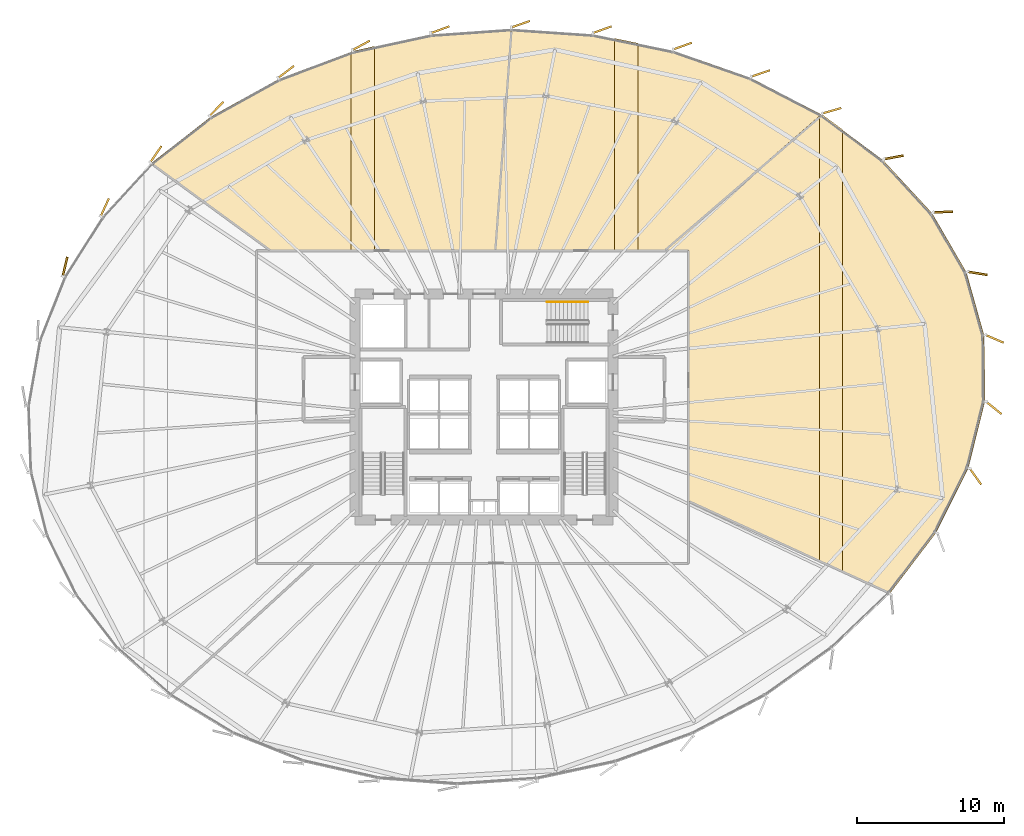
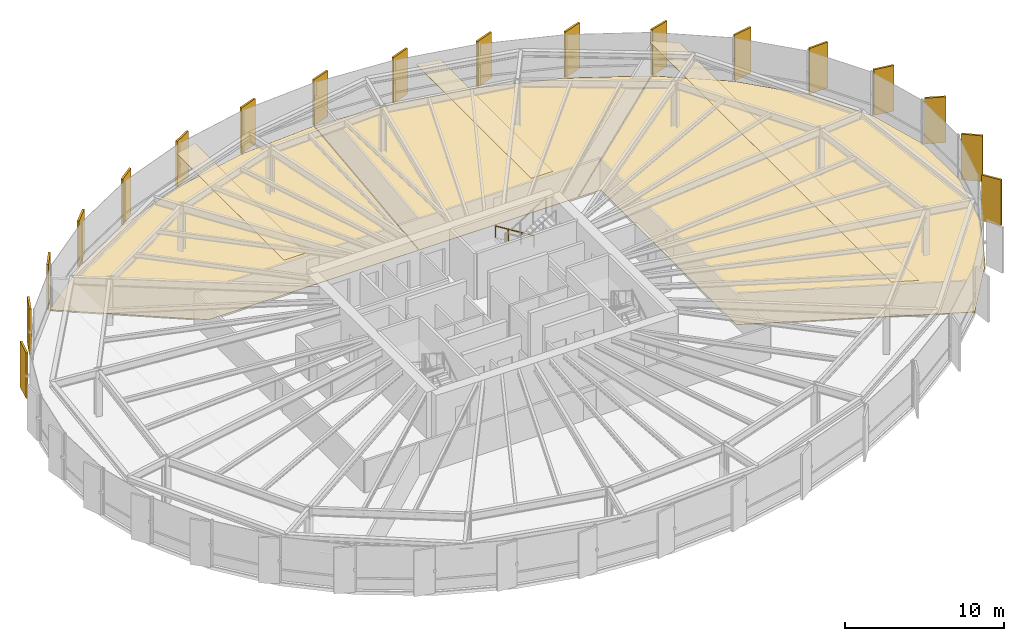
# One storey, part 38 of 38: 24 coverings, 1 railing.
"""IFC4 building model written with IfcOpenShell, lengths in metres."""

from ifc_helpers import new_model, si_unit, direction, frame, origin, origin_2d, place, context, subcontext, project, spatial, polyline, rectangle, circle, outline, extrude, source, transform, mapped, material, layer, layer_set, type_object, element, save


model = new_model("IFC4")

# Units and contexts
model_context = context("Model", 3, precision=1e-05, world=origin(), true_north=direction((0.0, 1.0)))
body_context = subcontext(model_context, "Body", "Model", "MODEL_VIEW")
ifc_project = project(units=[si_unit("LENGTHUNIT", "METRE"), si_unit("AREAUNIT", "SQUARE_METRE"), si_unit("VOLUMEUNIT", "CUBIC_METRE"), si_unit("PLANEANGLEUNIT", "RADIAN"), si_unit("MASSUNIT", "GRAM", prefix="KILO"), si_unit("THERMODYNAMICTEMPERATUREUNIT", "KELVIN")], contexts=[model_context])

# Site, building, storey
site_placement = place(None, origin())
site = spatial("IfcSite", under=ifc_project, at=site_placement, CompositionType="ELEMENT")
building_placement = place(site_placement, origin())
building = spatial("IfcBuilding", under=site, at=building_placement, Name="Kethvar Cultural Tower", CompositionType="ELEMENT")
storey_placement = place(building_placement, frame((0.0, 0.0, 63.800048828125)))
storey = spatial("IfcBuildingStorey", under=building, at=storey_placement, Name="L15", CompositionType="ELEMENT", Elevation=63.800048828125)

# Coverings
ifc_material_1 = material(Name="Acoustic Mineral Fibre Ceiling")
ifc_layer_1 = layer(ifc_material_1, 0.0400390625, Name="Acoustic Mineral Fibre Ceiling")
ifc_layer_set_1 = layer_set([ifc_layer_1], Name="Acoustic Mineral Fibre Ceiling (40 mm)")
covering_type_1 = type_object("IfcCoveringType", Name="CV-ACOUSTIC-CEIL", PredefinedType="CEILING", material=ifc_layer_set_1)
covering_1_placement = place(storey_placement, frame((0.0, 0.0, 2.669921875)))
element("IfcCovering", 1, at=covering_1_placement, inside=storey, type_object=covering_type_1, Name="L15 Room 02 Acoustic Ceiling Panel", PredefinedType="CEILING", context=body_context, shape_type="SweptSolid", body=[
    extrude(outline(polyline([(69.6591796875, 17.264892578125), (69.6591796875, 47.62646484375), (69.8251953125, 47.764404296875), (71.2490234375, 46.714599609375), (71.2490234375, 16.53369140625), (69.6591796875, 17.264892578125)])), origin(), (0.0, 0.0, 1.0), 0.0400390625),
])
covering_2_placement = place(storey_placement, frame((0.0, 0.0, 2.669921875)))
element("IfcCovering", 2, at=covering_2_placement, inside=storey, type_object=covering_type_1, Name="L15 Room 03 Acoustic Ceiling Panel", PredefinedType="CEILING", context=body_context, shape_type="SweptSolid", body=[
    extrude(outline(polyline([(57.2890625, 52.613037109375), (57.2890625, 38.43994140625), (55.698974609375, 38.43994140625), (55.698974609375, 52.938720703125), (57.2890625, 52.613037109375)])), origin(), (0.0, 0.0, 1.0), 0.0400390625),
])
covering_3_placement = place(storey_placement, frame((0.0, 0.0, 2.669921875)))
element("IfcCovering", 3, at=covering_3_placement, inside=storey, type_object=covering_type_1, Name="L15 Room 04 Acoustic Ceiling Panel", PredefinedType="CEILING", context=body_context, shape_type="SweptSolid", body=[
    extrude(outline(polyline([(37.7412109375, 52.04150390625), (39.3310546875, 52.40234375), (39.3310546875, 38.43994140625), (37.7412109375, 38.43994140625), (37.7412109375, 52.04150390625)])), origin(), (0.0, 0.0, 1.0), 0.0400390625),
])
ifc_material_2 = material(Name="Honed Warm Limestone", Category="masonry")
ifc_layer_2 = layer(ifc_material_2, 0.030029296875, Name="Honed Warm Limestone", Category="masonry")
ifc_layer_set_2 = layer_set([ifc_layer_2], Name="Honed Warm Limestone (30 mm)")
covering_type_2 = type_object("IfcCoveringType", Name="CV-STONE-FLOOR", PredefinedType="FLOORING", material=ifc_layer_set_2)
covering_4_placement = place(storey_placement, origin())
element("IfcCovering", 4, at=covering_4_placement, inside=storey, type_object=covering_type_2, Name="L15 Room 02 Floor Finish", PredefinedType="FLOORING", context=body_context, shape_type="SweptSolid", body=[
    extrude(outline(polyline([(79.8203125, 23.640625), (77.616943359375, 19.234130859375), (74.4697265625, 15.096435546875), (60.77001953125, 21.397216796875), (60.77001953125, 38.4619140625), (59.16064453125, 38.47998046875), (69.826904296875, 47.71875), (74.00341796875, 44.623291015625), (77.348876953125, 41.006591796875), (79.68603515625, 36.977783203125), (80.90087890625, 32.6533203125), (80.94091796875, 28.16162109375), (79.8203125, 23.640625)])), origin(), (0.0, 0.0, 1.0), 0.030029296875),
])
covering_5_placement = place(storey_placement, origin())
element("IfcCovering", 5, at=covering_5_placement, inside=storey, type_object=covering_type_2, Name="L15 Room 03 Floor Finish", PredefinedType="FLOORING", context=body_context, shape_type="SweptSolid", body=[
    extrude(outline(polyline([(54.215087890625, 53.201904296875), (59.714599609375, 52.0751953125), (64.982177734375, 50.23388671875), (69.79052734375, 47.740234375), (59.099609375, 38.47998046875), (47.590087890625, 38.47998046875), (48.67919921875, 53.579345703125), (54.215087890625, 53.201904296875)])), origin(), (0.0, 0.0, 1.0), 0.030029296875),
])
covering_6_placement = place(storey_placement, origin())
element("IfcCovering", 6, at=covering_6_placement, inside=storey, type_object=covering_type_2, Name="L15 Room 04 Floor Finish", PredefinedType="FLOORING", context=body_context, shape_type="SweptSolid", body=[
    extrude(outline(polyline([(28.177490234375, 47.587158203125), (32.805908203125, 50.15478515625), (37.860107421875, 52.04345703125), (43.185791015625, 53.195068359375), (48.638916015625, 53.5791015625), (47.550048828125, 38.47998046875), (32.2587890625, 38.47998046875), (24.134521484375, 44.433349609375), (28.177490234375, 47.587158203125)])), origin(), (0.0, 0.0, 1.0), 0.030029296875),
])

# Railing
ifc_material_3 = material(Name="Steel S355J2", Category="steel")
railing_type = type_object("IfcRailingType", Name="RL-STAIR-HANDRAIL", PredefinedType="HANDRAIL", material=ifc_material_3)
railing_placement = place(storey_placement, frame((53.89990234375, 34.9599609375, 0.172607421875)))
element("IfcRailing", 7, at=railing_placement, inside=storey, type_object=railing_type, Name="L15 ST-03 stair handrail 1", PredefinedType="HANDRAIL", context=body_context, shape_type="SweptSolid", body=[
    extrude(circle(Radius=0.02392578125, at=origin_2d()), frame((0.0, 0.0, 0.8759765625), z_axis=(-0.851069175582, 0.0, 0.525053576669), x_axis=(0.0, -1.0, 0.0)), (0.0, 0.0, 1.0), 3.289794921875),
    extrude(circle(Radius=0.02099609375, at=origin_2d()), origin(), (0.0, 0.0, 1.0), 0.851806640625),
    extrude(circle(Radius=0.02099609375, at=origin_2d()), frame((-0.933349609375, 0.0, 0.57568359375)), (0.0, 0.0, 1.0), 0.851806640625),
    extrude(circle(Radius=0.02099609375, at=origin_2d()), frame((-1.866455078125, 0.0, 1.151611328125)), (0.0, 0.0, 1.0), 0.851806640625),
    extrude(circle(Radius=0.02099609375, at=origin_2d()), frame((-2.7998046875, 0.0, 1.727294921875)), (0.0, 0.0, 1.0), 0.851806640625),
])

# Coverings
ifc_material_4 = material(Name="Extruded Architectural Terracotta", Category="masonry")
ifc_layer_3 = layer(ifc_material_4, 0.135009765625, Name="Extruded Architectural Terracotta", Category="masonry")
ifc_layer_set_3 = layer_set([ifc_layer_3], Name="Extruded Architectural Terracotta (135 mm)")
covering_type_3 = type_object("IfcCoveringType", Name="Terracotta Facade Fin FIN-01", PredefinedType="CLADDING", material=ifc_layer_set_3)
shared_shape = source(origin(), body_context, "Body", "SweptSolid", [
    extrude(rectangle(XDim=1.35009765625, YDim=0.135009765625, at=origin_2d()), origin(), (0.0, 0.0, 1.0), 3.510009765625),
])
for number, where, z_axis, x_axis, name in (
    (8, (81.60693359375, 32.45263671875, 0.02001953125), (0.0, 0.0, 1.0), (0.919272794923, -0.393621046838, 0.0), "L15 Vertical Terracotta Fin 1.1"),
    (9, (80.440185546875, 36.918212890625, 0.02001953125), (0.0, 0.0, 1.0), (0.987219843349, -0.15936430246, 0.0), "L15 Vertical Terracotta Fin 1.2"),
    (10, (78.09814453125, 41.09814453125, 0.02001953125), (0.0, 0.0, 1.0), (0.999289472641, 0.03769018267, 0.0), "L15 Vertical Terracotta Fin 1.3"),
    (11, (74.728271484375, 44.8251953125, 0.02001953125), (0.0, 0.0, 1.0), (0.983350191075, 0.18172066947, 0.0), "L15 Vertical Terracotta Fin 1.4"),
    (12, (70.51171875, 48.0009765625, 0.02001953125), (0.0, 0.0, 1.0), (0.961501868857, 0.27479839189, 0.0), "L15 Vertical Terracotta Fin 1.5"),
    (13, (65.655029296875, 50.546630859375, 0.02001953125), (0.0, 0.0, 1.0), (0.945915626384, 0.324412742909, 0.0), "L15 Vertical Terracotta Fin 1.6"),
    (14, (60.329345703125, 52.4111328125, 0.02001953125), (0.0, 0.0, 1.0), (0.940347520127, 0.340215433792, 0.0), "L15 Vertical Terracotta Fin 2.1"),
    (15, (54.858642578125, 53.529296875, 0.02001953125), (0.0, 0.0, 1.0), (0.941352819014, 0.337423873096, 0.0), "L15 Vertical Terracotta Fin 2.2"),
    (16, (49.2919921875, 53.9033203125, 0.02001953125), (0.0, 0.0, 1.0), (0.943858622852, 0.330349663339, 0.0), "L15 Vertical Terracotta Fin 2.3"),
    (17, (43.799560546875, 53.5263671875, 0.02001953125), (0.0, 0.0, 1.0), (0.938432742561, 0.345461991671, 0.0), "L15 Vertical Terracotta Fin 2.4"),
    (18, (38.419677734375, 52.45947265625, 0.02001953125), (0.0, 0.0, 1.0), (0.878900379191, 0.477005370471, 0.0), "L15 Vertical Terracotta Fin 2.5"),
    (19, (33.297607421875, 50.6494140625, 0.02001953125), (0.0, 0.0, 1.0), (0.798425388323, 0.602093762865, 0.0), "L15 Vertical Terracotta Fin 2.6"),
    (20, (28.552978515625, 48.126220703125, 0.02001953125), (0.0, 0.0, 1.0), (0.695160395052, 0.71885466205, 0.0), "L15 Vertical Terracotta Fin 3.1"),
    (21, (24.42529296875, 45.042724609375, 0.02001953125), (0.0, 0.0, 1.0), (0.567268949127, 0.823532597628, 0.0), "L15 Vertical Terracotta Fin 3.2"),
    (22, (20.93701171875, 41.4140625, 0.02001953125), (0.0, 0.0, 1.0), (0.413104429825, 0.910683660806, 0.0), "L15 Vertical Terracotta Fin 3.3"),
    (23, (18.22607421875, 37.3720703125, 0.02001953125), (0.0, 0.0, 1.0), (0.233954463532, 0.972247555406, 0.0), "L15 Vertical Terracotta Fin 3.4"),
    (24, (80.308349609375, 23.064697265625, 0.02001953125), (0.0, 0.0, 1.0), (0.580134454392, -0.814520727071, 0.0), "L15 Vertical Terracotta Fin 6.5"),
    (25, (81.56689453125, 27.737060546875, 0.02001953125), (0.0, 0.0, 1.0), (0.779447316057, -0.626467781687, 0.0), "L15 Vertical Terracotta Fin 6.6"),
):
    element("IfcCovering", number, at=place(storey_placement, frame(where, z_axis=z_axis, x_axis=x_axis)), inside=storey, type_object=covering_type_3, Name=name, PredefinedType="CLADDING", context=body_context, shape_type="MappedRepresentation", body=[
        mapped(shared_shape, transform((0.0, 0.0, 0.0), scale=1.0)),
    ])

save(model, "model.ifc")
